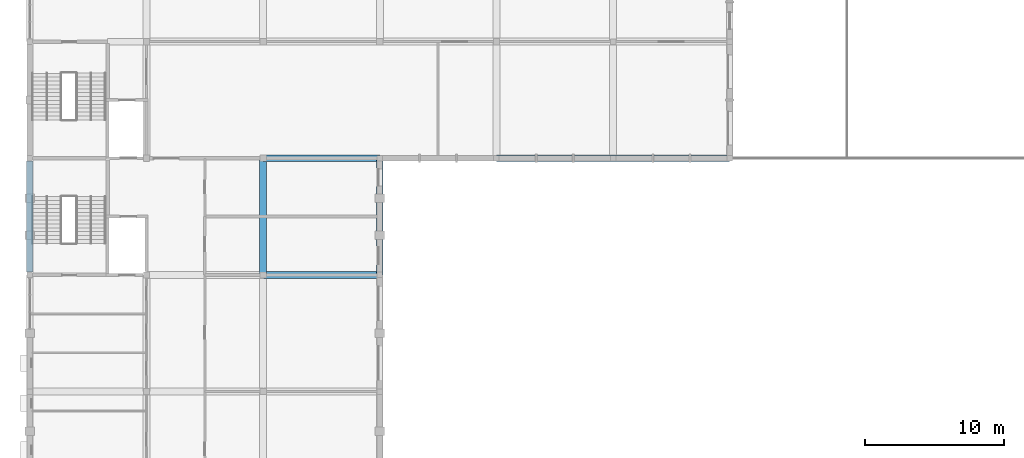
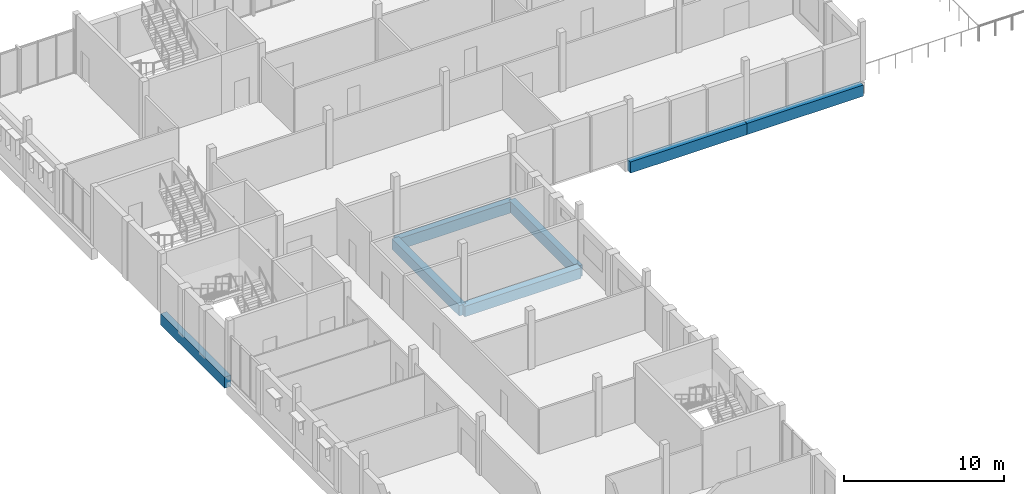
# One storey, part 6 of 30: 7 beams.
"""IFC4 building model written with IfcOpenShell, lengths in metres."""

from ifc_helpers import new_model, si_unit, direction, frame, origin, origin_2d, place, context, subcontext, project, spatial, rectangle, extrude, material, material_profile, profile_set, type_object, element, save


model = new_model("IFC4")

# Units and contexts
model_context = context("Model", 3, precision=1e-05, world=origin(), true_north=direction((0.0, 1.0)))
body_context = subcontext(model_context, "Body", "Model", "MODEL_VIEW")
ifc_project = project(units=[si_unit("LENGTHUNIT", "METRE"), si_unit("AREAUNIT", "SQUARE_METRE"), si_unit("VOLUMEUNIT", "CUBIC_METRE"), si_unit("PLANEANGLEUNIT", "RADIAN"), si_unit("MASSUNIT", "GRAM", prefix="KILO")], contexts=[model_context])

# Site, building, storey
site_placement = place(None, origin())
site = spatial("IfcSite", under=ifc_project, at=site_placement, CompositionType="ELEMENT")
building_placement = place(site_placement, origin())
building = spatial("IfcBuilding", under=site, at=building_placement, Name="Fescue Hill Polytechnic", CompositionType="ELEMENT")
storey_placement = place(building_placement, frame((0.0, 0.0, 22.5)))
storey = spatial("IfcBuildingStorey", under=building, at=storey_placement, Name="L05", CompositionType="ELEMENT", Elevation=22.5)

# Beams
ifc_material = material(Name="Concrete 35 MPa", Category="concrete")
ifc_material_profile_1 = material_profile(ifc_material, rectangle(XDim=0.449951171875, YDim=0.85009765625, at=origin_2d()), Name="RC 450x850")
ifc_profile_set_1 = profile_set([ifc_material_profile_1], Name="Concrete 35 MPa")
beam_type_1 = type_object("IfcBeamType", Name="Beam RC 450x850", PredefinedType="BEAM", material=ifc_profile_set_1)
for number, where, z_axis, x_axis, name in (
    (1, (16.800048828125, 109.199951171875, -0.72509765625), (1.0, 0.0, 0.0), (0.0, 1.0, 0.0), "BM-L05-0039"),
    (2, (25.199951171875, 100.800048828125, -0.72509765625), (0.0, 1.0, 0.0), (-1.0, 0.0, 0.0), "BM-L05-0055"),
):
    element("IfcBeam", number, at=place(storey_placement, frame(where, z_axis=z_axis, x_axis=x_axis)), inside=storey, type_object=beam_type_1, Name=name, PredefinedType="BEAM", context=body_context, shape_type="SweptSolid", body=[
        extrude(rectangle(XDim=0.449951171875, YDim=0.85009765625, at=origin_2d()), origin(), (0.0, 0.0, 1.0), 8.39990234375),
    ])
for number, where, z_axis, x_axis, name in (
    (3, (33.610107421875, 109.199951171875, -0.72509765625), (1.0, 0.0, 0.0), (0.0, 1.0, 0.0), "BM-L05-0064"),
    (4, (42.010009765625, 109.199951171875, -0.72509765625), (1.0, 0.0, 0.0), (0.0, 1.0, 0.0), "BM-L05-0071"),
):
    element("IfcBeam", number, at=place(storey_placement, frame(where, z_axis=z_axis, x_axis=x_axis)), inside=storey, type_object=beam_type_1, Name=name, PredefinedType="BEAM", context=body_context, shape_type="SweptSolid", body=[
        extrude(rectangle(XDim=0.449951171875, YDim=0.85009765625, at=origin_2d()), origin(), (0.0, 0.0, 1.0), 8.3798828125),
    ])
beam_1_placement = place(storey_placement, frame((0.0, 101.0, -0.425048828125), z_axis=(0.0, 1.0, 0.0), x_axis=(-1.0, 0.0, 0.0)))
element("IfcBeam", 5, at=beam_1_placement, inside=storey, type_object=beam_type_1, Name="BM-L05-0106", PredefinedType="BEAM", context=body_context, shape_type="SweptSolid", body=[
    extrude(rectangle(XDim=0.449951171875, YDim=0.85009765625, at=origin_2d()), origin(), (0.0, 0.0, 1.0), 8.0),
])
ifc_material_profile_2 = material_profile(ifc_material, rectangle(XDim=0.5, YDim=0.800048828125, at=origin_2d()), Name="RC 500x800")
ifc_profile_set_2 = profile_set([ifc_material_profile_2], Name="Concrete 35 MPa")
beam_type_2 = type_object("IfcBeamType", Name="Beam RC 500x800", PredefinedType="BEAM", material=ifc_profile_set_2)
beam_2_placement = place(storey_placement, frame((16.800048828125, 100.800048828125, -0.699951171875), z_axis=(0.0, 1.0, 0.0), x_axis=(-1.0, 0.0, 0.0)))
element("IfcBeam", 6, at=beam_2_placement, inside=storey, type_object=beam_type_2, Name="BM-L05-0038", PredefinedType="BEAM", context=body_context, shape_type="SweptSolid", body=[
    extrude(rectangle(XDim=0.5, YDim=0.800048828125, at=origin_2d()), origin(), (0.0, 0.0, 1.0), 8.39990234375),
])
beam_3_placement = place(storey_placement, frame((16.81005859375, 100.800048828125, -0.699951171875), z_axis=(1.0, 0.0, 0.0), x_axis=(0.0, 1.0, 0.0)))
element("IfcBeam", 7, at=beam_3_placement, inside=storey, type_object=beam_type_2, Name="BM-L05-0048", PredefinedType="BEAM", context=body_context, shape_type="SweptSolid", body=[
    extrude(rectangle(XDim=0.5, YDim=0.800048828125, at=origin_2d()), origin(), (0.0, 0.0, 1.0), 8.3798828125),
])

save(model, "model.ifc")
